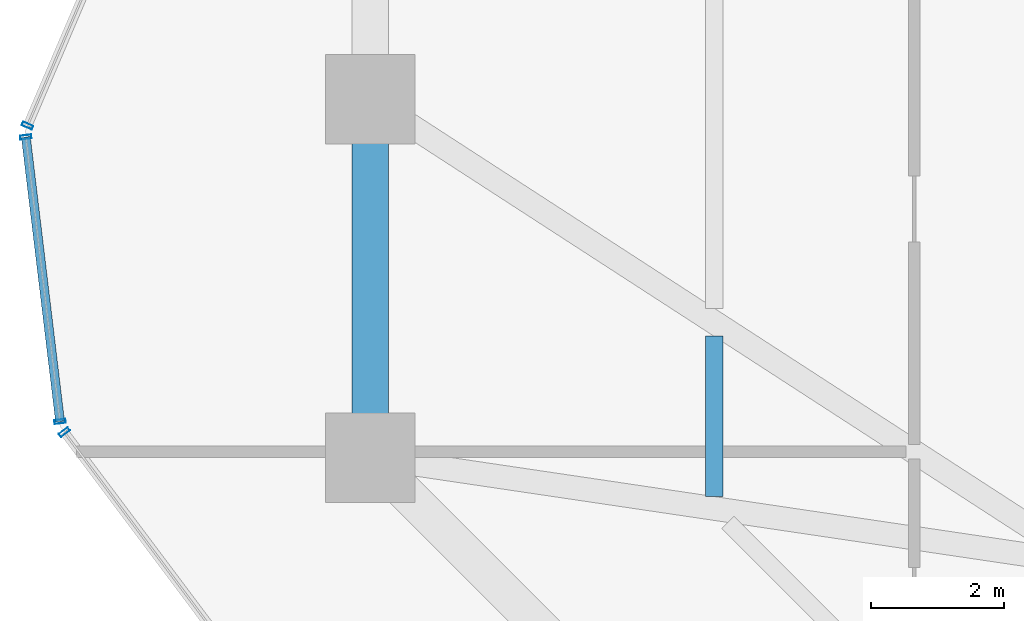
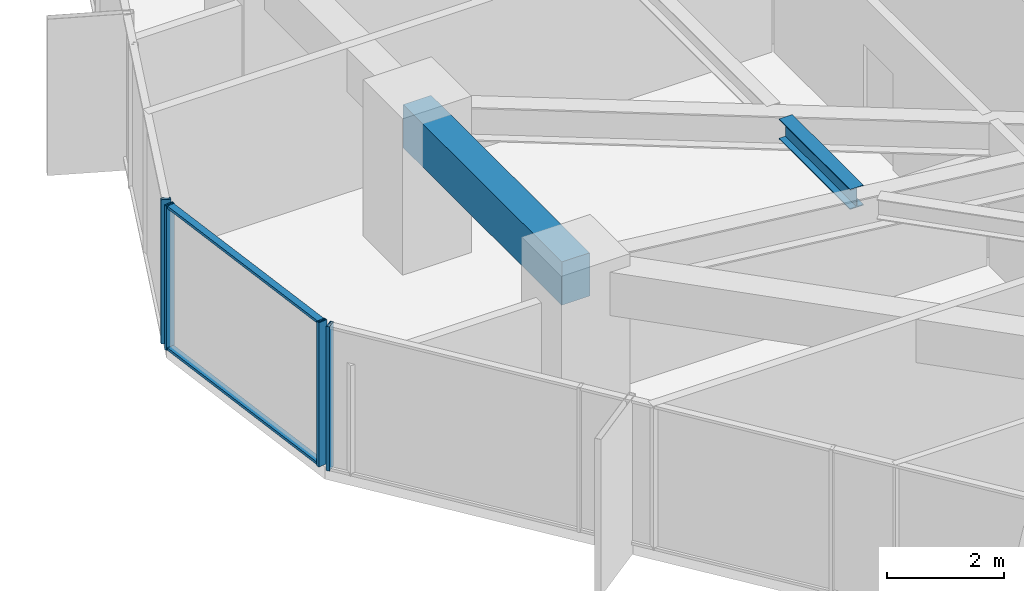
# One storey, part 10 of 37: 6 members, 2 beams, 3 elements without a shape of their own.
"""IFC4 building model written with IfcOpenShell, lengths in metres."""

import ifcopenshell
import ifcopenshell.guid

model = None  # the IFC model being written
_history = None  # IfcOwnerHistory: only IFC2X3 demands one
_inside = {}  # id of a spatial element -> (the spatial element, [elements in it])
_under = {}  # id of a project, library or spatial element -> (it, [spatial elements below it])
_declared = {}  # id of a project -> (the project, [libraries it declares])
_typed = {}  # id of a type object -> (the type object, [elements of that type])
_made_of = {}  # id of a material, layer set ... -> (it, [elements and type objects made of it])


def new_model(schema):
    """Start an empty IFC model of exactly this schema.

    Asked for "IFC4X3", IfcOpenShell would pick the latest addendum, in which some entities
    have other attributes; the version numbers below select the first issue.
    IFC2X3 requires an IfcOwnerHistory on every rooted entity: one is made here for all.
    """
    global model, _history
    if schema == "IFC4X3":
        model = ifcopenshell.file(schema_version=(4, 3, 0, 0))
    else:
        model = ifcopenshell.file(schema=schema)
    _inside.clear()
    _under.clear()
    _declared.clear()
    _typed.clear()
    _made_of.clear()
    _history = None
    if model.schema == "IFC2X3":
        org = make("IfcOrganization", Name="unknown")
        user = make(
            "IfcPersonAndOrganization",
            ThePerson=make("IfcPerson", FamilyName="unknown"),
            TheOrganization=org,
        )
        app = make(
            "IfcApplication",
            ApplicationDeveloper=org,
            Version="unknown",
            ApplicationFullName="unknown",
            ApplicationIdentifier="unknown",
        )
        _history = make(
            "IfcOwnerHistory",
            OwningUser=user,
            OwningApplication=app,
            ChangeAction="ADDED",
            CreationDate=0,
        )
    return model


def make(cls, **values):
    """One entity of the class cls with the attributes given. An attribute that is None is left unset."""
    return model.create_entity(
        cls, **{name: value for name, value in values.items() if value is not None}
    )


def rooted(cls, **values):
    """An entity with a GlobalId (a new one), such as an element, a storey or a relation."""
    return make(cls, GlobalId=ifcopenshell.guid.new(), OwnerHistory=_history, **values)


def si_unit(unit_type, name, prefix=None):
    """IfcSIUnit, for example si_unit("LENGTHUNIT", "METRE", prefix="MILLI")."""
    return make("IfcSIUnit", UnitType=unit_type, Prefix=prefix, Name=name)


def assignment(units):
    """IfcUnitAssignment: the units of a project."""
    return None if units is None else make("IfcUnitAssignment", Units=units)


def point(xyz):
    """IfcCartesianPoint."""
    return None if xyz is None else make("IfcCartesianPoint", Coordinates=xyz)


def direction(xyz):
    """IfcDirection."""
    return None if xyz is None else make("IfcDirection", DirectionRatios=xyz)


def frame(location, z_axis=None, x_axis=None):
    """IfcAxis2Placement3D, a coordinate frame: its origin and axes. An axis left out is left unset."""
    return make(
        "IfcAxis2Placement3D",
        Location=point(location),
        Axis=direction(z_axis),
        RefDirection=direction(x_axis),
    )


def frame_2d(location, x_axis=None):
    """IfcAxis2Placement2D, a coordinate frame in the plane: its origin and x axis."""
    return make(
        "IfcAxis2Placement2D", Location=point(location), RefDirection=direction(x_axis)
    )


def origin():
    """The frame at (0, 0, 0) with its axes left unset."""
    return frame((0.0, 0.0, 0.0))


def origin_2d():
    """The frame at (0, 0) in the plane with its x axis left unset."""
    return frame_2d((0.0, 0.0))


def place(relative_to, where):
    """IfcLocalPlacement: puts the frame where relative to a parent placement (None: the world)."""
    return make(
        "IfcLocalPlacement", PlacementRelTo=relative_to, RelativePlacement=where
    )


def context(
    kind, dimensions, precision=None, world=None, true_north=None, identifier=None
):
    """IfcGeometricRepresentationContext, for example the 3D "Model" context."""
    return make(
        "IfcGeometricRepresentationContext",
        ContextIdentifier=identifier,
        ContextType=kind,
        CoordinateSpaceDimension=dimensions,
        Precision=precision,
        WorldCoordinateSystem=world,
        TrueNorth=true_north,
    )


def subcontext(parent, identifier, kind, view, scale=None):
    """IfcGeometricRepresentationSubContext, for example "Body" below "Model"."""
    return make(
        "IfcGeometricRepresentationSubContext",
        ContextIdentifier=identifier,
        ContextType=kind,
        ParentContext=parent,
        TargetScale=scale,
        TargetView=view,
    )


def project(units=None, contexts=None):
    """IfcProject with its units and contexts."""
    return rooted(
        "IfcProject",
        Name="project",
        RepresentationContexts=contexts,
        UnitsInContext=assignment(units),
    )


def spatial(cls, under=None, at=None, **own):
    """A site, building, storey or space (cls), placed at a placement, below another one or the project."""
    s = rooted(cls, ObjectPlacement=at, **own)
    if under is not None:
        _under.setdefault(under.id(), (under, []))[1].append(s)
    return s


def profile(cls, at=None, kind="AREA", **sizes):
    """A parametric profile (cls). Its sizes go by their IFC names, for example OverallWidth=200.0."""
    return make(cls, ProfileType=kind, Position=at, **sizes)


def rectangle(**sizes):
    """IfcRectangleProfileDef."""
    return profile("IfcRectangleProfileDef", **sizes)


def hollow_rectangle(**sizes):
    """IfcRectangleHollowProfileDef."""
    return profile("IfcRectangleHollowProfileDef", **sizes)


def i_section(**sizes):
    """IfcIShapeProfileDef."""
    return profile("IfcIShapeProfileDef", **sizes)


def extrude(swept, where, along, depth):
    """IfcExtrudedAreaSolid: the profile swept, set in the frame where, extruded along a direction by depth."""
    return make(
        "IfcExtrudedAreaSolid",
        SweptArea=swept,
        Position=where,
        ExtrudedDirection=direction(along),
        Depth=depth,
    )


def shape(context_of_items, identifier, shape_type, items):
    """IfcShapeRepresentation: the items that make up one representation, for example the "Body"."""
    return make(
        "IfcShapeRepresentation",
        ContextOfItems=context_of_items,
        RepresentationIdentifier=identifier,
        RepresentationType=shape_type,
        Items=items,
    )


def source(mapping_origin, context_of_items, identifier, shape_type, items):
    """IfcRepresentationMap: a shape defined once, which mapped items show again and again."""
    return make(
        "IfcRepresentationMap",
        MappingOrigin=mapping_origin,
        MappedRepresentation=shape(context_of_items, identifier, shape_type, items),
    )


def transform(
    local_origin,
    x_axis=None,
    y_axis=None,
    z_axis=None,
    scale=None,
    scale2=None,
    scale3=None,
    uniform=True,
):
    """IfcCartesianTransformationOperator3D, or its non-uniform kind. x_axis, y_axis, z_axis: its Axis1, 2, 3."""
    if uniform:
        return make(
            "IfcCartesianTransformationOperator3D",
            Axis1=direction(x_axis),
            Axis2=direction(y_axis),
            LocalOrigin=point(local_origin),
            Scale=scale,
            Axis3=direction(z_axis),
        )
    return make(
        "IfcCartesianTransformationOperator3DnonUniform",
        Axis1=direction(x_axis),
        Axis2=direction(y_axis),
        LocalOrigin=point(local_origin),
        Scale=scale,
        Axis3=direction(z_axis),
        Scale2=scale2,
        Scale3=scale3,
    )


def mapped(mapping_source, mapping_target):
    """IfcMappedItem: shows the shape of a source again, moved by a transform."""
    return make(
        "IfcMappedItem", MappingSource=mapping_source, MappingTarget=mapping_target
    )


def material(Name=None, Category=None):
    """IfcMaterial."""
    return make("IfcMaterial", Name=Name, Category=Category)


def layer(
    of_material, thickness, ventilated=None, Name=None, Category=None, Priority=None
):
    """IfcMaterialLayer: one layer of a wall or slab, of a material (None: an air gap)."""
    return make(
        "IfcMaterialLayer",
        Material=of_material,
        LayerThickness=thickness,
        IsVentilated=ventilated,
        Name=Name,
        Category=Category,
        Priority=Priority,
    )


def layer_set(layers, Name=None):
    """IfcMaterialLayerSet."""
    return make("IfcMaterialLayerSet", MaterialLayers=layers, LayerSetName=Name)


def material_profile(
    of_material, cross_section, Name=None, Category=None, Priority=None
):
    """IfcMaterialProfile: a cross section and its material."""
    return make(
        "IfcMaterialProfile",
        Name=Name,
        Material=of_material,
        Profile=cross_section,
        Priority=Priority,
        Category=Category,
    )


def profile_set(profiles, Name=None, composite=None):
    """IfcMaterialProfileSet."""
    return make(
        "IfcMaterialProfileSet",
        Name=Name,
        MaterialProfiles=profiles,
        CompositeProfile=composite,
    )


def made_of(thing, what):
    """Note that an element or type object is made of a material, layer set ...; save() writes the relation."""
    if what is not None:
        _made_of.setdefault(what.id(), (what, []))[1].append(thing)
    return thing


def type_object(cls, material=None, **own):
    """A type object (cls), such as IfcWallType, which elements share."""
    return made_of(rooted(cls, **own), material)


def element(
    cls,
    number,
    at=None,
    inside=None,
    cuts=None,
    type_object=None,
    material=None,
    context=None,
    identifier="Body",
    shape_type=None,
    held_by="IfcProductDefinitionShape",
    body=None,
    shapes=None,
    **own,
):
    """One element of the class cls, such as IfcWall. Its Tag is "e" and its number.

    at: its placement. inside: the storey or other place that contains it. cuts: it is an
    opening in that element (IfcRelVoidsElement). A single representation is given by context,
    identifier, shape_type and body (its items); several are given by shapes. held_by: the class
    of the entity that holds the representations. save() writes the other relations.
    """
    e = rooted(cls, Tag="e%d" % number, ObjectPlacement=at, **own)
    if body is not None:
        shapes = [shape(context, identifier, shape_type, body)]
    if shapes is not None:
        e.Representation = make(held_by, Representations=shapes)
    if inside is not None:
        _inside.setdefault(inside.id(), (inside, []))[1].append(e)
    if cuts is not None:
        rooted(
            "IfcRelVoidsElement", RelatingBuildingElement=cuts, RelatedOpeningElement=e
        )
    if type_object is not None:
        _typed.setdefault(type_object.id(), (type_object, []))[1].append(e)
    return made_of(e, material)


def aggregate(whole, parts):
    """IfcRelAggregates: a whole, such as a stair, and the parts it consists of."""
    return rooted("IfcRelAggregates", RelatingObject=whole, RelatedObjects=parts)


def save(model, path):
    """Write the relations noted so far, then the file.

    IfcRelAggregates (storeys below a building ...), IfcRelContainedInSpatialStructure (elements
    in a storey), IfcRelDefinesByType, IfcRelAssociatesMaterial and IfcRelDeclares: one each for
    every whole, place, type object, material and project.
    """
    for whole, parts in _under.values():
        aggregate(whole, parts)
    for where, things in _inside.values():
        rooted(
            "IfcRelContainedInSpatialStructure",
            RelatedElements=things,
            RelatingStructure=where,
        )
    for kind, things in _typed.values():
        rooted("IfcRelDefinesByType", RelatedObjects=things, RelatingType=kind)
    for what, things in _made_of.values():
        rooted("IfcRelAssociatesMaterial", RelatedObjects=things, RelatingMaterial=what)
    for by, libraries in _declared.values():
        rooted("IfcRelDeclares", RelatingContext=by, RelatedDefinitions=libraries)
    model.write(path)


model = new_model("IFC4")

# Units and contexts
model_context = context("Model", 3, precision=1e-05, world=origin(), true_north=direction((0.0, 1.0)))
body_context = subcontext(model_context, "Body", "Model", "MODEL_VIEW")
ifc_project = project(units=[si_unit("LENGTHUNIT", "METRE"), si_unit("AREAUNIT", "SQUARE_METRE"), si_unit("VOLUMEUNIT", "CUBIC_METRE"), si_unit("PLANEANGLEUNIT", "RADIAN"), si_unit("MASSUNIT", "GRAM", prefix="KILO")], contexts=[model_context])

# Site, building, storey
site_placement = place(None, origin())
site = spatial("IfcSite", under=ifc_project, at=site_placement, CompositionType="ELEMENT")
building_placement = place(site_placement, origin())
building = spatial("IfcBuilding", under=site, at=building_placement, Name="Veraguas Prism Commons", CompositionType="ELEMENT")
storey_placement = place(building_placement, frame((0.0, 0.0, 46.800048828125)))
storey = spatial("IfcBuildingStorey", under=building, at=storey_placement, Name="L12", CompositionType="ELEMENT", Elevation=46.800048828125)

# Beams
ifc_material_1 = material(Name="Steel ASTM A992 Grade 50", Category="steel")
ifc_material_profile_1 = material_profile(ifc_material_1, i_section(OverallWidth=0.260986328125, OverallDepth=0.419921875, WebThickness=0.01171875, FlangeThickness=0.019287109375, at=origin_2d()), Name="W410X114")
ifc_profile_set_1 = profile_set([ifc_material_profile_1], Name="Steel ASTM A992 Grade 50")
beam_type_1 = type_object("IfcBeamType", Name="Lower Floor Joist W410x114", PredefinedType="JOIST", material=ifc_profile_set_1)
beam_1_placement = place(storey_placement, frame((11.583984375, 20.430419921875, 2.7900390625), z_axis=(0.0, -1.0, 0.0), x_axis=(1.0, 0.0, 0.0)))
element("IfcBeam", 1, at=beam_1_placement, inside=storey, type_object=beam_type_1, Name="Composite Floor Joist L12-JS08", PredefinedType="JOIST", context=body_context, shape_type="SweptSolid", body=[
    extrude(i_section(OverallWidth=0.260986328125, OverallDepth=0.419921875, WebThickness=0.01171875, FlangeThickness=0.019287109375, at=origin_2d()), origin(), (0.0, 0.0, 1.0), 2.42041015625),
])
ifc_material_2 = material(Name="Concrete C50/60", Category="concrete")
ifc_material_profile_2 = material_profile(ifc_material_2, rectangle(XDim=0.550048828125, YDim=0.89990234375, at=origin_2d()), Name="RC550X900")
ifc_profile_set_2 = profile_set([ifc_material_profile_2], Name="Concrete C50/60")
beam_type_2 = type_object("IfcBeamType", Name="Perimeter Spandrel Lower RC 550x900", PredefinedType="SPANDREL", material=ifc_profile_set_2)
beam_2_placement = place(storey_placement, frame((6.39990234375, 24.0, 2.550048828125), z_axis=(0.0, -1.0, 0.0), x_axis=(1.0, 0.0, 0.0)))
element("IfcBeam", 2, at=beam_2_placement, inside=storey, type_object=beam_type_2, Name="Perimeter Spandrel Beam L12-SP08", PredefinedType="SPANDREL", context=body_context, shape_type="SweptSolid", body=[
    extrude(rectangle(XDim=0.550048828125, YDim=0.89990234375, at=origin_2d()), origin(), (0.0, 0.0, 1.0), 5.39990234375),
])

# Curtain wall, member
ifc_material_3 = material(Name="Anodised aluminium EN AW-6063 T6", Category="aluminium")
ifc_layer = layer(ifc_material_3, 0.169921875, Name="Unitised Flush Curtain Wall Zone 1", Category="aluminium")
ifc_layer_set = layer_set([ifc_layer], Name="Anodised aluminium EN AW-6063 T6")
curtain_wall_type = type_object("IfcCurtainWallType", Name="Unitised Flush Curtain Wall Zone 1", PredefinedType="NOTDEFINED", material=ifc_layer_set)
curtain_wall_1_placement = place(storey_placement, origin())
curtain_wall_1 = element("IfcCurtainWall", 3, at=curtain_wall_1_placement, inside=storey, type_object=curtain_wall_type, Name="Tower Facade Curtain Wall L12-F3", PredefinedType="NOTDEFINED")
ifc_material_profile_3 = material_profile(ifc_material_3, hollow_rectangle(XDim=0.06005859375, YDim=0.169921875, WallThickness=0.00390625, at=origin_2d()), Name="AL60X170X4")
ifc_profile_set_3 = profile_set([ifc_material_profile_3], Name="Anodised aluminium EN AW-6063 T6")
member_type_1 = type_object("IfcMemberType", Name="Curtain Wall Mullion Lower AL 60x170x4", PredefinedType="MULLION", material=ifc_profile_set_3)
shared_shape_1 = source(origin(), body_context, "Body", "SweptSolid", [
    extrude(hollow_rectangle(XDim=0.06005859375, YDim=0.169921875, WallThickness=0.00390625, at=origin_2d()), origin(), (0.0, 0.0, 1.0), 3.0),
])
member_1_placement = place(storey_placement, frame((1.228271484375, 23.605224609375, 0.0), z_axis=(0.0, 0.0, 1.0), x_axis=(-0.392977572574, -0.919548056087, 0.0)))
member_1 = element("IfcMember", 4, at=member_1_placement, type_object=member_type_1, Name="CW-Z1 Mullion 5", PredefinedType="MULLION", context=body_context, shape_type="MappedRepresentation", body=[
    mapped(shared_shape_1, transform((0.0, 0.0, 0.0), scale=1.0)),
])
aggregate(curtain_wall_1, [member_1])

curtain_wall_2_placement = place(storey_placement, origin())
curtain_wall_2 = element("IfcCurtainWall", 5, at=curtain_wall_2_placement, inside=storey, type_object=curtain_wall_type, Name="Tower Facade Curtain Wall L12-F4", PredefinedType="NOTDEFINED")
member_2_placement = place(storey_placement, frame((1.7841796875, 18.982666015625, 0.0), z_axis=(0.0, 0.0, 1.0), x_axis=(0.599861793842, -0.800103635968, 0.0)))
member_2 = element("IfcMember", 6, at=member_2_placement, type_object=member_type_1, Name="CW-Z1 Mullion 1", PredefinedType="MULLION", context=body_context, shape_type="MappedRepresentation", body=[
    mapped(shared_shape_1, transform((0.0, 0.0, 0.0), scale=1.0)),
])
aggregate(curtain_wall_2, [member_2])

# Curtain wall, members
curtain_wall_3_placement = place(storey_placement, origin())
curtain_wall_3 = element("IfcCurtainWall", 7, at=curtain_wall_3_placement, inside=storey, type_object=curtain_wall_type, Name="Chamfer Curtain Wall L12-C4", PredefinedType="NOTDEFINED")
member_3_placement = place(storey_placement, frame((1.20361328125, 23.43310546875, 0.0), z_axis=(0.0, 0.0, 1.0), x_axis=(0.119429871556, -0.992842638982, 0.0)))
member_3 = element("IfcMember", 8, at=member_3_placement, type_object=member_type_1, Name="CW-Z1 Mullion 1", PredefinedType="MULLION", context=body_context, shape_type="MappedRepresentation", body=[
    mapped(shared_shape_1, transform((0.0, 0.0, 0.0), scale=1.0)),
])
member_4_placement = place(storey_placement, frame((1.719482421875, 19.14404296875, 0.0), z_axis=(0.0, 0.0, 1.0), x_axis=(0.119429871556, -0.992842638982, 0.0)))
member_4 = element("IfcMember", 9, at=member_4_placement, type_object=member_type_1, Name="CW-Z1 Mullion 2", PredefinedType="MULLION", context=body_context, shape_type="MappedRepresentation", body=[
    mapped(shared_shape_1, transform((0.0, 0.0, 0.0), scale=1.0)),
])
ifc_material_profile_4 = material_profile(ifc_material_3, hollow_rectangle(XDim=0.054931640625, YDim=0.135009765625, WallThickness=0.0029296875, at=origin_2d()), Name="AL55X135X3")
ifc_profile_set_4 = profile_set([ifc_material_profile_4], Name="Anodised aluminium EN AW-6063 T6")
member_type_2 = type_object("IfcMemberType", Name="Curtain Wall Transom Standard AL 55x135x3", PredefinedType="USERDEFINED", material=ifc_profile_set_4)
shared_shape_2 = source(origin(), body_context, "Body", "SweptSolid", [
    extrude(hollow_rectangle(XDim=0.054931640625, YDim=0.135009765625, WallThickness=0.0029296875, at=origin_2d()), origin(), (0.0, 0.0, 1.0), 4.320068359375),
])
member_5_placement = place(storey_placement, frame((1.20361328125, 23.43310546875, 0.02734375), z_axis=(0.119414862862, -0.992844444275, 0.0), x_axis=(0.0, 0.0, 1.0)))
member_5 = element("IfcMember", 10, at=member_5_placement, type_object=member_type_2, Name="CW-Z1 Transom 1", ObjectType="TRANSOM", PredefinedType="USERDEFINED", context=body_context, shape_type="MappedRepresentation", body=[
    mapped(shared_shape_2, transform((0.0, 0.0, 0.0), scale=1.0)),
])
member_6_placement = place(storey_placement, frame((1.20361328125, 23.43310546875, 2.972412109375), z_axis=(0.119414862862, -0.992844444275, 0.0), x_axis=(0.0, 0.0, 1.0)))
member_6 = element("IfcMember", 11, at=member_6_placement, type_object=member_type_2, Name="CW-Z1 Transom 2", ObjectType="TRANSOM", PredefinedType="USERDEFINED", context=body_context, shape_type="MappedRepresentation", body=[
    mapped(shared_shape_2, transform((0.0, 0.0, 0.0), scale=1.0)),
])
aggregate(curtain_wall_3, [member_3, member_4, member_5, member_6])

save(model, "model.ifc")
